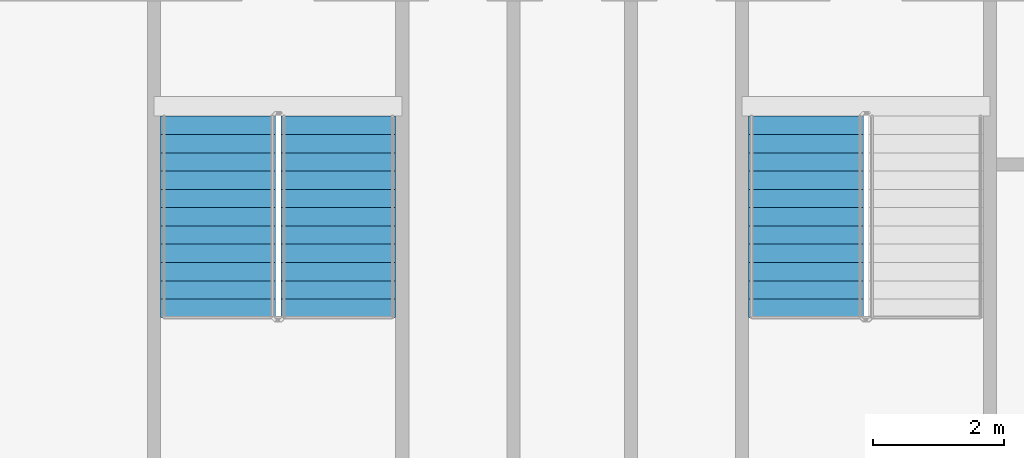
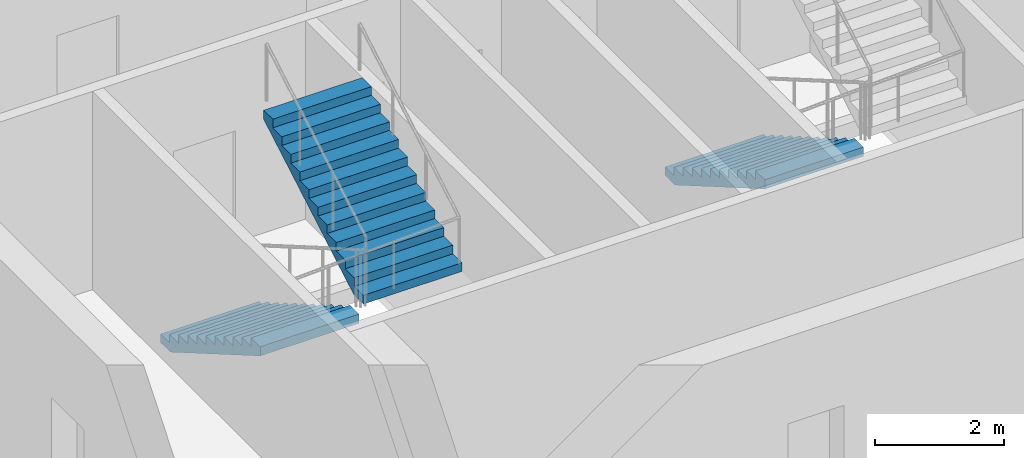
# One storey, part 13 of 20: 3 stair flights, 2 elements without a shape of their own.
"""IFC4 building model written with IfcOpenShell, lengths in metres."""

from ifc_helpers import new_model, si_unit, direction, frame, origin, place, context, subcontext, project, spatial, faceted_brep, material, type_object, element, aggregate, save


model = new_model("IFC4")

# Units and contexts
model_context = context("Model", 3, precision=1e-05, world=origin(), true_north=direction((0.0, 1.0)))
body_context = subcontext(model_context, "Body", "Model", "MODEL_VIEW")
ifc_project = project(units=[si_unit("LENGTHUNIT", "METRE"), si_unit("AREAUNIT", "SQUARE_METRE"), si_unit("VOLUMEUNIT", "CUBIC_METRE"), si_unit("PLANEANGLEUNIT", "RADIAN"), si_unit("MASSUNIT", "GRAM", prefix="KILO")], contexts=[model_context])

# Site, building, storey
site_placement = place(None, origin())
site = spatial("IfcSite", under=ifc_project, at=site_placement, CompositionType="ELEMENT")
building_placement = place(site_placement, origin())
building = spatial("IfcBuilding", under=site, at=building_placement, Name="Tarsis Ring Headquarters", CompositionType="ELEMENT")
storey_placement = place(building_placement, frame((0.0, 0.0, 315.800048828125)))
storey = spatial("IfcBuildingStorey", under=building, at=storey_placement, Name="L74", CompositionType="ELEMENT", Elevation=315.800048828125)

# Stair, stair flights
ifc_material_1 = material(Name="Core stair 1760")
stair_type = type_object("IfcStairType", Name="Core stair 1760", PredefinedType="HALF_TURN_STAIR", material=ifc_material_1)
stair_1_placement = place(storey_placement, origin())
stair_1 = element("IfcStair", 1, at=stair_1_placement, inside=storey, type_object=stair_type, Name="L74 Exit stair C", PredefinedType="HALF_TURN_STAIR")
ifc_material_2 = material(Name="Concrete C40/50", Category="concrete")
stair_flight_type = type_object("IfcStairFlightType", Name="Core stair flight 1760", PredefinedType="STRAIGHT", material=ifc_material_2)
stair_flight_1_placement = place(storey_placement, frame((-5.419921875, -3.659912109375, 0.0), z_axis=(0.0, 0.0, 1.0), x_axis=(0.0, -1.0, 0.0)))
stair_flight_1 = element("IfcStairFlight", 2, at=stair_flight_1_placement, type_object=stair_flight_type, Name="Stair ST3 flight 1", NumberOfRisers=12, NumberOfTreads=11, PredefinedType="STRAIGHT", RiserHeight=0.1625, TreadLength=0.28, context=body_context, shape_type="Brep", body=[
    faceted_brep([(0.0, 0.8798828125, 0.0), (0.0, 0.8798828125, 0.16259765625), (0.280029296875, 0.8798828125, 0.16259765625), (0.280029296875, 0.8798828125, 0.324951171875), (0.56005859375, 0.8798828125, 0.324951171875), (0.56005859375, 0.8798828125, 0.487548828125), (0.840087890625, 0.8798828125, 0.487548828125), (0.840087890625, 0.8798828125, 0.64990234375), (1.1201171875, 0.8798828125, 0.64990234375), (1.1201171875, 0.8798828125, 0.8125), (1.39990234375, 0.8798828125, 0.8125), (1.39990234375, 0.8798828125, 0.97509765625), (1.679931640625, 0.8798828125, 0.97509765625), (1.679931640625, 0.8798828125, 1.137451171875), (1.9599609375, 0.8798828125, 1.137451171875), (1.9599609375, 0.8798828125, 1.300048828125), (2.239990234375, 0.8798828125, 1.300048828125), (2.239990234375, 0.8798828125, 1.46240234375), (2.52001953125, 0.8798828125, 1.46240234375), (2.52001953125, 0.8798828125, 1.625), (2.800048828125, 0.8798828125, 1.625), (2.800048828125, 0.8798828125, 1.78759765625), (3.080078125, 0.8798828125, 1.78759765625), (3.080078125, 0.8798828125, 1.6142578125), (0.298583984375, 0.8798828125, 0.0), (0.298583984375, -0.8798828125, 0.0), (3.080078125, -0.8798828125, 1.6142578125), (3.080078125, -0.8798828125, 1.78759765625), (2.800048828125, -0.8798828125, 1.78759765625), (2.800048828125, -0.8798828125, 1.625), (2.52001953125, -0.8798828125, 1.625), (2.52001953125, -0.8798828125, 1.46240234375), (2.239990234375, -0.8798828125, 1.46240234375), (2.239990234375, -0.8798828125, 1.300048828125), (1.9599609375, -0.8798828125, 1.300048828125), (1.9599609375, -0.8798828125, 1.137451171875), (1.679931640625, -0.8798828125, 1.137451171875), (1.679931640625, -0.8798828125, 0.97509765625), (1.39990234375, -0.8798828125, 0.97509765625), (1.39990234375, -0.8798828125, 0.8125), (1.1201171875, -0.8798828125, 0.8125), (1.1201171875, -0.8798828125, 0.64990234375), (0.840087890625, -0.8798828125, 0.64990234375), (0.840087890625, -0.8798828125, 0.487548828125), (0.56005859375, -0.8798828125, 0.487548828125), (0.56005859375, -0.8798828125, 0.324951171875), (0.280029296875, -0.8798828125, 0.324951171875), (0.280029296875, -0.8798828125, 0.16259765625), (0.0, -0.8798828125, 0.16259765625), (0.0, -0.8798828125, 0.0), (0.0, -0.43994140625, 0.16259765625), (0.0, -0.43994140625, 0.0), (0.0, 0.0, 0.16259765625), (0.0, 0.0, 0.0), (0.0, 0.43994140625, 0.16259765625), (0.0, 0.43994140625, 0.0), (0.280029296875, -0.43994140625, 0.16259765625), (0.280029296875, 0.0, 0.16259765625), (0.280029296875, 0.43994140625, 0.16259765625), (0.280029296875, -0.43994140625, 0.324951171875), (0.280029296875, 0.0, 0.324951171875), (0.280029296875, 0.43994140625, 0.324951171875), (0.56005859375, -0.43994140625, 0.324951171875), (0.56005859375, 0.0, 0.324951171875), (0.56005859375, 0.43994140625, 0.324951171875), (0.56005859375, -0.43994140625, 0.487548828125), (0.56005859375, 0.0, 0.487548828125), (0.56005859375, 0.43994140625, 0.487548828125), (0.840087890625, -0.43994140625, 0.487548828125), (0.840087890625, 0.0, 0.487548828125), (0.840087890625, 0.43994140625, 0.487548828125), (0.840087890625, -0.43994140625, 0.64990234375), (0.840087890625, 0.0, 0.64990234375), (0.840087890625, 0.43994140625, 0.64990234375), (1.1201171875, -0.43994140625, 0.64990234375), (1.1201171875, 0.0, 0.64990234375), (1.1201171875, 0.43994140625, 0.64990234375), (1.1201171875, -0.43994140625, 0.8125), (1.1201171875, 0.0, 0.8125), (1.1201171875, 0.43994140625, 0.8125), (1.39990234375, -0.43994140625, 0.8125), (1.39990234375, 0.0, 0.8125), (1.39990234375, 0.43994140625, 0.8125), (1.39990234375, -0.43994140625, 0.97509765625), (1.39990234375, 0.0, 0.97509765625), (1.39990234375, 0.43994140625, 0.97509765625), (1.679931640625, -0.43994140625, 0.97509765625), (1.679931640625, 0.0, 0.97509765625), (1.679931640625, 0.43994140625, 0.97509765625), (1.679931640625, -0.43994140625, 1.137451171875), (1.679931640625, 0.0, 1.137451171875), (1.679931640625, 0.43994140625, 1.137451171875), (1.9599609375, -0.43994140625, 1.137451171875), (1.9599609375, 0.0, 1.137451171875), (1.9599609375, 0.43994140625, 1.137451171875), (1.9599609375, -0.43994140625, 1.300048828125), (1.9599609375, 0.0, 1.300048828125), (1.9599609375, 0.43994140625, 1.300048828125), (2.239990234375, -0.43994140625, 1.300048828125), (2.239990234375, 0.0, 1.300048828125), (2.239990234375, 0.43994140625, 1.300048828125), (2.239990234375, -0.43994140625, 1.46240234375), (2.239990234375, 0.0, 1.46240234375), (2.239990234375, 0.43994140625, 1.46240234375), (2.52001953125, -0.43994140625, 1.46240234375), (2.52001953125, 0.0, 1.46240234375), (2.52001953125, 0.43994140625, 1.46240234375), (2.52001953125, -0.43994140625, 1.625), (2.52001953125, 0.0, 1.625), (2.52001953125, 0.43994140625, 1.625), (2.800048828125, -0.43994140625, 1.625), (2.800048828125, 0.0, 1.625), (2.800048828125, 0.43994140625, 1.625), (2.800048828125, -0.43994140625, 1.78759765625), (2.800048828125, 0.0, 1.78759765625), (2.800048828125, 0.43994140625, 1.78759765625), (3.080078125, -0.43994140625, 1.78759765625), (3.080078125, 0.0, 1.78759765625), (3.080078125, 0.43994140625, 1.78759765625), (3.080078125, -0.43994140625, 1.6142578125), (3.080078125, 0.0, 1.6142578125), (3.080078125, 0.43994140625, 1.6142578125), (0.298583984375, -0.43994140625, 0.0), (0.298583984375, 0.0, 0.0), (0.298583984375, 0.43994140625, 0.0)], [[[0, 1, 2, 3, 4, 5, 6, 7, 8, 9, 10, 11, 12, 13, 14, 15, 16, 17, 18, 19, 20, 21, 22, 23, 24]], [[25, 26, 27, 28, 29, 30, 31, 32, 33, 34, 35, 36, 37, 38, 39, 40, 41, 42, 43, 44, 45, 46, 47, 48, 49]], [[49, 48, 50, 51]], [[51, 50, 52, 53]], [[53, 52, 54, 55]], [[55, 54, 1, 0]], [[48, 47, 56, 50]], [[50, 56, 57, 52]], [[52, 57, 58, 54]], [[54, 58, 2, 1]], [[47, 46, 59, 56]], [[56, 59, 60, 57]], [[57, 60, 61, 58]], [[58, 61, 3, 2]], [[46, 45, 62, 59]], [[59, 62, 63, 60]], [[60, 63, 64, 61]], [[61, 64, 4, 3]], [[45, 44, 65, 62]], [[62, 65, 66, 63]], [[63, 66, 67, 64]], [[64, 67, 5, 4]], [[44, 43, 68, 65]], [[65, 68, 69, 66]], [[66, 69, 70, 67]], [[67, 70, 6, 5]], [[43, 42, 71, 68]], [[68, 71, 72, 69]], [[69, 72, 73, 70]], [[70, 73, 7, 6]], [[42, 41, 74, 71]], [[71, 74, 75, 72]], [[72, 75, 76, 73]], [[73, 76, 8, 7]], [[41, 40, 77, 74]], [[74, 77, 78, 75]], [[75, 78, 79, 76]], [[76, 79, 9, 8]], [[40, 39, 80, 77]], [[77, 80, 81, 78]], [[78, 81, 82, 79]], [[79, 82, 10, 9]], [[39, 38, 83, 80]], [[80, 83, 84, 81]], [[81, 84, 85, 82]], [[82, 85, 11, 10]], [[38, 37, 86, 83]], [[83, 86, 87, 84]], [[84, 87, 88, 85]], [[85, 88, 12, 11]], [[37, 36, 89, 86]], [[86, 89, 90, 87]], [[87, 90, 91, 88]], [[88, 91, 13, 12]], [[36, 35, 92, 89]], [[89, 92, 93, 90]], [[90, 93, 94, 91]], [[91, 94, 14, 13]], [[35, 34, 95, 92]], [[92, 95, 96, 93]], [[93, 96, 97, 94]], [[94, 97, 15, 14]], [[34, 33, 98, 95]], [[95, 98, 99, 96]], [[96, 99, 100, 97]], [[97, 100, 16, 15]], [[33, 32, 101, 98]], [[98, 101, 102, 99]], [[99, 102, 103, 100]], [[100, 103, 17, 16]], [[32, 31, 104, 101]], [[101, 104, 105, 102]], [[102, 105, 106, 103]], [[103, 106, 18, 17]], [[31, 30, 107, 104]], [[104, 107, 108, 105]], [[105, 108, 109, 106]], [[106, 109, 19, 18]], [[30, 29, 110, 107]], [[107, 110, 111, 108]], [[108, 111, 112, 109]], [[109, 112, 20, 19]], [[29, 28, 113, 110]], [[110, 113, 114, 111]], [[111, 114, 115, 112]], [[112, 115, 21, 20]], [[28, 27, 116, 113]], [[113, 116, 117, 114]], [[114, 117, 118, 115]], [[115, 118, 22, 21]], [[27, 26, 119, 116]], [[116, 119, 120, 117]], [[117, 120, 121, 118]], [[118, 121, 23, 22]], [[26, 25, 122, 119]], [[119, 122, 123, 120]], [[120, 123, 124, 121]], [[121, 124, 24, 23]], [[25, 49, 51, 122]], [[122, 51, 53, 123]], [[123, 53, 55, 124]], [[124, 55, 0, 24]]]),
])
stair_flight_2_placement = place(storey_placement, frame((-3.580078125, -6.739990234375, 1.949951171875), z_axis=(0.0, 0.0, 1.0), x_axis=(0.0, 1.0, 0.0)))
stair_flight_2 = element("IfcStairFlight", 3, at=stair_flight_2_placement, type_object=stair_flight_type, Name="Stair ST3 flight 2", NumberOfRisers=12, NumberOfTreads=11, PredefinedType="STRAIGHT", RiserHeight=0.1625, TreadLength=0.28, context=body_context, shape_type="Brep", body=[
    faceted_brep([(0.0, 0.8798828125, 0.0), (0.0, 0.8798828125, 0.16259765625), (0.280029296875, 0.8798828125, 0.16259765625), (0.280029296875, 0.8798828125, 0.324951171875), (0.56005859375, 0.8798828125, 0.324951171875), (0.56005859375, 0.8798828125, 0.487548828125), (0.840087890625, 0.8798828125, 0.487548828125), (0.840087890625, 0.8798828125, 0.64990234375), (1.1201171875, 0.8798828125, 0.64990234375), (1.1201171875, 0.8798828125, 0.8125), (1.39990234375, 0.8798828125, 0.8125), (1.39990234375, 0.8798828125, 0.97509765625), (1.679931640625, 0.8798828125, 0.97509765625), (1.679931640625, 0.8798828125, 1.137451171875), (1.9599609375, 0.8798828125, 1.137451171875), (1.9599609375, 0.8798828125, 1.300048828125), (2.239990234375, 0.8798828125, 1.300048828125), (2.239990234375, 0.8798828125, 1.46240234375), (2.52001953125, 0.8798828125, 1.46240234375), (2.52001953125, 0.8798828125, 1.625), (2.800048828125, 0.8798828125, 1.625), (2.800048828125, 0.8798828125, 1.78759765625), (3.080078125, 0.8798828125, 1.78759765625), (3.080078125, 0.8798828125, 1.6142578125), (0.298583984375, 0.8798828125, 0.0), (0.298583984375, -0.8798828125, 0.0), (3.080078125, -0.8798828125, 1.6142578125), (3.080078125, -0.8798828125, 1.78759765625), (2.800048828125, -0.8798828125, 1.78759765625), (2.800048828125, -0.8798828125, 1.625), (2.52001953125, -0.8798828125, 1.625), (2.52001953125, -0.8798828125, 1.46240234375), (2.239990234375, -0.8798828125, 1.46240234375), (2.239990234375, -0.8798828125, 1.300048828125), (1.9599609375, -0.8798828125, 1.300048828125), (1.9599609375, -0.8798828125, 1.137451171875), (1.679931640625, -0.8798828125, 1.137451171875), (1.679931640625, -0.8798828125, 0.97509765625), (1.39990234375, -0.8798828125, 0.97509765625), (1.39990234375, -0.8798828125, 0.8125), (1.1201171875, -0.8798828125, 0.8125), (1.1201171875, -0.8798828125, 0.64990234375), (0.840087890625, -0.8798828125, 0.64990234375), (0.840087890625, -0.8798828125, 0.487548828125), (0.56005859375, -0.8798828125, 0.487548828125), (0.56005859375, -0.8798828125, 0.324951171875), (0.280029296875, -0.8798828125, 0.324951171875), (0.280029296875, -0.8798828125, 0.16259765625), (0.0, -0.8798828125, 0.16259765625), (0.0, -0.8798828125, 0.0), (0.0, -0.43994140625, 0.16259765625), (0.0, -0.43994140625, 0.0), (0.0, 0.0, 0.16259765625), (0.0, 0.0, 0.0), (0.0, 0.43994140625, 0.16259765625), (0.0, 0.43994140625, 0.0), (0.280029296875, -0.43994140625, 0.16259765625), (0.280029296875, 0.0, 0.16259765625), (0.280029296875, 0.43994140625, 0.16259765625), (0.280029296875, -0.43994140625, 0.324951171875), (0.280029296875, 0.0, 0.324951171875), (0.280029296875, 0.43994140625, 0.324951171875), (0.56005859375, -0.43994140625, 0.324951171875), (0.56005859375, 0.0, 0.324951171875), (0.56005859375, 0.43994140625, 0.324951171875), (0.56005859375, -0.43994140625, 0.487548828125), (0.56005859375, 0.0, 0.487548828125), (0.56005859375, 0.43994140625, 0.487548828125), (0.840087890625, -0.43994140625, 0.487548828125), (0.840087890625, 0.0, 0.487548828125), (0.840087890625, 0.43994140625, 0.487548828125), (0.840087890625, -0.43994140625, 0.64990234375), (0.840087890625, 0.0, 0.64990234375), (0.840087890625, 0.43994140625, 0.64990234375), (1.1201171875, -0.43994140625, 0.64990234375), (1.1201171875, 0.0, 0.64990234375), (1.1201171875, 0.43994140625, 0.64990234375), (1.1201171875, -0.43994140625, 0.8125), (1.1201171875, 0.0, 0.8125), (1.1201171875, 0.43994140625, 0.8125), (1.39990234375, -0.43994140625, 0.8125), (1.39990234375, 0.0, 0.8125), (1.39990234375, 0.43994140625, 0.8125), (1.39990234375, -0.43994140625, 0.97509765625), (1.39990234375, 0.0, 0.97509765625), (1.39990234375, 0.43994140625, 0.97509765625), (1.679931640625, -0.43994140625, 0.97509765625), (1.679931640625, 0.0, 0.97509765625), (1.679931640625, 0.43994140625, 0.97509765625), (1.679931640625, -0.43994140625, 1.137451171875), (1.679931640625, 0.0, 1.137451171875), (1.679931640625, 0.43994140625, 1.137451171875), (1.9599609375, -0.43994140625, 1.137451171875), (1.9599609375, 0.0, 1.137451171875), (1.9599609375, 0.43994140625, 1.137451171875), (1.9599609375, -0.43994140625, 1.300048828125), (1.9599609375, 0.0, 1.300048828125), (1.9599609375, 0.43994140625, 1.300048828125), (2.239990234375, -0.43994140625, 1.300048828125), (2.239990234375, 0.0, 1.300048828125), (2.239990234375, 0.43994140625, 1.300048828125), (2.239990234375, -0.43994140625, 1.46240234375), (2.239990234375, 0.0, 1.46240234375), (2.239990234375, 0.43994140625, 1.46240234375), (2.52001953125, -0.43994140625, 1.46240234375), (2.52001953125, 0.0, 1.46240234375), (2.52001953125, 0.43994140625, 1.46240234375), (2.52001953125, -0.43994140625, 1.625), (2.52001953125, 0.0, 1.625), (2.52001953125, 0.43994140625, 1.625), (2.800048828125, -0.43994140625, 1.625), (2.800048828125, 0.0, 1.625), (2.800048828125, 0.43994140625, 1.625), (2.800048828125, -0.43994140625, 1.78759765625), (2.800048828125, 0.0, 1.78759765625), (2.800048828125, 0.43994140625, 1.78759765625), (3.080078125, -0.43994140625, 1.78759765625), (3.080078125, 0.0, 1.78759765625), (3.080078125, 0.43994140625, 1.78759765625), (3.080078125, -0.43994140625, 1.6142578125), (3.080078125, 0.0, 1.6142578125), (3.080078125, 0.43994140625, 1.6142578125), (0.298583984375, -0.43994140625, 0.0), (0.298583984375, 0.0, 0.0), (0.298583984375, 0.43994140625, 0.0)], [[[0, 1, 2, 3, 4, 5, 6, 7, 8, 9, 10, 11, 12, 13, 14, 15, 16, 17, 18, 19, 20, 21, 22, 23, 24]], [[25, 26, 27, 28, 29, 30, 31, 32, 33, 34, 35, 36, 37, 38, 39, 40, 41, 42, 43, 44, 45, 46, 47, 48, 49]], [[49, 48, 50, 51]], [[51, 50, 52, 53]], [[53, 52, 54, 55]], [[55, 54, 1, 0]], [[48, 47, 56, 50]], [[50, 56, 57, 52]], [[52, 57, 58, 54]], [[54, 58, 2, 1]], [[47, 46, 59, 56]], [[56, 59, 60, 57]], [[57, 60, 61, 58]], [[58, 61, 3, 2]], [[46, 45, 62, 59]], [[59, 62, 63, 60]], [[60, 63, 64, 61]], [[61, 64, 4, 3]], [[45, 44, 65, 62]], [[62, 65, 66, 63]], [[63, 66, 67, 64]], [[64, 67, 5, 4]], [[44, 43, 68, 65]], [[65, 68, 69, 66]], [[66, 69, 70, 67]], [[67, 70, 6, 5]], [[43, 42, 71, 68]], [[68, 71, 72, 69]], [[69, 72, 73, 70]], [[70, 73, 7, 6]], [[42, 41, 74, 71]], [[71, 74, 75, 72]], [[72, 75, 76, 73]], [[73, 76, 8, 7]], [[41, 40, 77, 74]], [[74, 77, 78, 75]], [[75, 78, 79, 76]], [[76, 79, 9, 8]], [[40, 39, 80, 77]], [[77, 80, 81, 78]], [[78, 81, 82, 79]], [[79, 82, 10, 9]], [[39, 38, 83, 80]], [[80, 83, 84, 81]], [[81, 84, 85, 82]], [[82, 85, 11, 10]], [[38, 37, 86, 83]], [[83, 86, 87, 84]], [[84, 87, 88, 85]], [[85, 88, 12, 11]], [[37, 36, 89, 86]], [[86, 89, 90, 87]], [[87, 90, 91, 88]], [[88, 91, 13, 12]], [[36, 35, 92, 89]], [[89, 92, 93, 90]], [[90, 93, 94, 91]], [[91, 94, 14, 13]], [[35, 34, 95, 92]], [[92, 95, 96, 93]], [[93, 96, 97, 94]], [[94, 97, 15, 14]], [[34, 33, 98, 95]], [[95, 98, 99, 96]], [[96, 99, 100, 97]], [[97, 100, 16, 15]], [[33, 32, 101, 98]], [[98, 101, 102, 99]], [[99, 102, 103, 100]], [[100, 103, 17, 16]], [[32, 31, 104, 101]], [[101, 104, 105, 102]], [[102, 105, 106, 103]], [[103, 106, 18, 17]], [[31, 30, 107, 104]], [[104, 107, 108, 105]], [[105, 108, 109, 106]], [[106, 109, 19, 18]], [[30, 29, 110, 107]], [[107, 110, 111, 108]], [[108, 111, 112, 109]], [[109, 112, 20, 19]], [[29, 28, 113, 110]], [[110, 113, 114, 111]], [[111, 114, 115, 112]], [[112, 115, 21, 20]], [[28, 27, 116, 113]], [[113, 116, 117, 114]], [[114, 117, 118, 115]], [[115, 118, 22, 21]], [[27, 26, 119, 116]], [[116, 119, 120, 117]], [[117, 120, 121, 118]], [[118, 121, 23, 22]], [[26, 25, 122, 119]], [[119, 122, 123, 120]], [[120, 123, 124, 121]], [[121, 124, 24, 23]], [[25, 49, 51, 122]], [[122, 51, 53, 123]], [[123, 53, 55, 124]], [[124, 55, 0, 24]]]),
])
aggregate(stair_1, [stair_flight_1, stair_flight_2])

# Stair, stair flight
stair_2_placement = place(storey_placement, origin())
stair_2 = element("IfcStair", 4, at=stair_2_placement, inside=storey, type_object=stair_type, Name="L74 Exit stair D", PredefinedType="HALF_TURN_STAIR")
stair_flight_3_placement = place(storey_placement, frame((3.580078125, -3.659912109375, 0.0), z_axis=(0.0, 0.0, 1.0), x_axis=(0.0, -1.0, 0.0)))
stair_flight_3 = element("IfcStairFlight", 5, at=stair_flight_3_placement, type_object=stair_flight_type, Name="Stair ST4 flight 1", NumberOfRisers=12, NumberOfTreads=11, PredefinedType="STRAIGHT", RiserHeight=0.1625, TreadLength=0.28, context=body_context, shape_type="Brep", body=[
    faceted_brep([(0.0, 0.8798828125, 0.0), (0.0, 0.8798828125, 0.16259765625), (0.280029296875, 0.8798828125, 0.16259765625), (0.280029296875, 0.8798828125, 0.324951171875), (0.56005859375, 0.8798828125, 0.324951171875), (0.56005859375, 0.8798828125, 0.487548828125), (0.840087890625, 0.8798828125, 0.487548828125), (0.840087890625, 0.8798828125, 0.64990234375), (1.1201171875, 0.8798828125, 0.64990234375), (1.1201171875, 0.8798828125, 0.8125), (1.39990234375, 0.8798828125, 0.8125), (1.39990234375, 0.8798828125, 0.97509765625), (1.679931640625, 0.8798828125, 0.97509765625), (1.679931640625, 0.8798828125, 1.137451171875), (1.9599609375, 0.8798828125, 1.137451171875), (1.9599609375, 0.8798828125, 1.300048828125), (2.239990234375, 0.8798828125, 1.300048828125), (2.239990234375, 0.8798828125, 1.46240234375), (2.52001953125, 0.8798828125, 1.46240234375), (2.52001953125, 0.8798828125, 1.625), (2.800048828125, 0.8798828125, 1.625), (2.800048828125, 0.8798828125, 1.78759765625), (3.080078125, 0.8798828125, 1.78759765625), (3.080078125, 0.8798828125, 1.6142578125), (0.298583984375, 0.8798828125, 0.0), (0.298583984375, -0.8798828125, 0.0), (3.080078125, -0.8798828125, 1.6142578125), (3.080078125, -0.8798828125, 1.78759765625), (2.800048828125, -0.8798828125, 1.78759765625), (2.800048828125, -0.8798828125, 1.625), (2.52001953125, -0.8798828125, 1.625), (2.52001953125, -0.8798828125, 1.46240234375), (2.239990234375, -0.8798828125, 1.46240234375), (2.239990234375, -0.8798828125, 1.300048828125), (1.9599609375, -0.8798828125, 1.300048828125), (1.9599609375, -0.8798828125, 1.137451171875), (1.679931640625, -0.8798828125, 1.137451171875), (1.679931640625, -0.8798828125, 0.97509765625), (1.39990234375, -0.8798828125, 0.97509765625), (1.39990234375, -0.8798828125, 0.8125), (1.1201171875, -0.8798828125, 0.8125), (1.1201171875, -0.8798828125, 0.64990234375), (0.840087890625, -0.8798828125, 0.64990234375), (0.840087890625, -0.8798828125, 0.487548828125), (0.56005859375, -0.8798828125, 0.487548828125), (0.56005859375, -0.8798828125, 0.324951171875), (0.280029296875, -0.8798828125, 0.324951171875), (0.280029296875, -0.8798828125, 0.16259765625), (0.0, -0.8798828125, 0.16259765625), (0.0, -0.8798828125, 0.0), (0.0, -0.43994140625, 0.16259765625), (0.0, -0.43994140625, 0.0), (0.0, 0.0, 0.16259765625), (0.0, 0.0, 0.0), (0.0, 0.43994140625, 0.16259765625), (0.0, 0.43994140625, 0.0), (0.280029296875, -0.43994140625, 0.16259765625), (0.280029296875, 0.0, 0.16259765625), (0.280029296875, 0.43994140625, 0.16259765625), (0.280029296875, -0.43994140625, 0.324951171875), (0.280029296875, 0.0, 0.324951171875), (0.280029296875, 0.43994140625, 0.324951171875), (0.56005859375, -0.43994140625, 0.324951171875), (0.56005859375, 0.0, 0.324951171875), (0.56005859375, 0.43994140625, 0.324951171875), (0.56005859375, -0.43994140625, 0.487548828125), (0.56005859375, 0.0, 0.487548828125), (0.56005859375, 0.43994140625, 0.487548828125), (0.840087890625, -0.43994140625, 0.487548828125), (0.840087890625, 0.0, 0.487548828125), (0.840087890625, 0.43994140625, 0.487548828125), (0.840087890625, -0.43994140625, 0.64990234375), (0.840087890625, 0.0, 0.64990234375), (0.840087890625, 0.43994140625, 0.64990234375), (1.1201171875, -0.43994140625, 0.64990234375), (1.1201171875, 0.0, 0.64990234375), (1.1201171875, 0.43994140625, 0.64990234375), (1.1201171875, -0.43994140625, 0.8125), (1.1201171875, 0.0, 0.8125), (1.1201171875, 0.43994140625, 0.8125), (1.39990234375, -0.43994140625, 0.8125), (1.39990234375, 0.0, 0.8125), (1.39990234375, 0.43994140625, 0.8125), (1.39990234375, -0.43994140625, 0.97509765625), (1.39990234375, 0.0, 0.97509765625), (1.39990234375, 0.43994140625, 0.97509765625), (1.679931640625, -0.43994140625, 0.97509765625), (1.679931640625, 0.0, 0.97509765625), (1.679931640625, 0.43994140625, 0.97509765625), (1.679931640625, -0.43994140625, 1.137451171875), (1.679931640625, 0.0, 1.137451171875), (1.679931640625, 0.43994140625, 1.137451171875), (1.9599609375, -0.43994140625, 1.137451171875), (1.9599609375, 0.0, 1.137451171875), (1.9599609375, 0.43994140625, 1.137451171875), (1.9599609375, -0.43994140625, 1.300048828125), (1.9599609375, 0.0, 1.300048828125), (1.9599609375, 0.43994140625, 1.300048828125), (2.239990234375, -0.43994140625, 1.300048828125), (2.239990234375, 0.0, 1.300048828125), (2.239990234375, 0.43994140625, 1.300048828125), (2.239990234375, -0.43994140625, 1.46240234375), (2.239990234375, 0.0, 1.46240234375), (2.239990234375, 0.43994140625, 1.46240234375), (2.52001953125, -0.43994140625, 1.46240234375), (2.52001953125, 0.0, 1.46240234375), (2.52001953125, 0.43994140625, 1.46240234375), (2.52001953125, -0.43994140625, 1.625), (2.52001953125, 0.0, 1.625), (2.52001953125, 0.43994140625, 1.625), (2.800048828125, -0.43994140625, 1.625), (2.800048828125, 0.0, 1.625), (2.800048828125, 0.43994140625, 1.625), (2.800048828125, -0.43994140625, 1.78759765625), (2.800048828125, 0.0, 1.78759765625), (2.800048828125, 0.43994140625, 1.78759765625), (3.080078125, -0.43994140625, 1.78759765625), (3.080078125, 0.0, 1.78759765625), (3.080078125, 0.43994140625, 1.78759765625), (3.080078125, -0.43994140625, 1.6142578125), (3.080078125, 0.0, 1.6142578125), (3.080078125, 0.43994140625, 1.6142578125), (0.298583984375, -0.43994140625, 0.0), (0.298583984375, 0.0, 0.0), (0.298583984375, 0.43994140625, 0.0)], [[[0, 1, 2, 3, 4, 5, 6, 7, 8, 9, 10, 11, 12, 13, 14, 15, 16, 17, 18, 19, 20, 21, 22, 23, 24]], [[25, 26, 27, 28, 29, 30, 31, 32, 33, 34, 35, 36, 37, 38, 39, 40, 41, 42, 43, 44, 45, 46, 47, 48, 49]], [[49, 48, 50, 51]], [[51, 50, 52, 53]], [[53, 52, 54, 55]], [[55, 54, 1, 0]], [[48, 47, 56, 50]], [[50, 56, 57, 52]], [[52, 57, 58, 54]], [[54, 58, 2, 1]], [[47, 46, 59, 56]], [[56, 59, 60, 57]], [[57, 60, 61, 58]], [[58, 61, 3, 2]], [[46, 45, 62, 59]], [[59, 62, 63, 60]], [[60, 63, 64, 61]], [[61, 64, 4, 3]], [[45, 44, 65, 62]], [[62, 65, 66, 63]], [[63, 66, 67, 64]], [[64, 67, 5, 4]], [[44, 43, 68, 65]], [[65, 68, 69, 66]], [[66, 69, 70, 67]], [[67, 70, 6, 5]], [[43, 42, 71, 68]], [[68, 71, 72, 69]], [[69, 72, 73, 70]], [[70, 73, 7, 6]], [[42, 41, 74, 71]], [[71, 74, 75, 72]], [[72, 75, 76, 73]], [[73, 76, 8, 7]], [[41, 40, 77, 74]], [[74, 77, 78, 75]], [[75, 78, 79, 76]], [[76, 79, 9, 8]], [[40, 39, 80, 77]], [[77, 80, 81, 78]], [[78, 81, 82, 79]], [[79, 82, 10, 9]], [[39, 38, 83, 80]], [[80, 83, 84, 81]], [[81, 84, 85, 82]], [[82, 85, 11, 10]], [[38, 37, 86, 83]], [[83, 86, 87, 84]], [[84, 87, 88, 85]], [[85, 88, 12, 11]], [[37, 36, 89, 86]], [[86, 89, 90, 87]], [[87, 90, 91, 88]], [[88, 91, 13, 12]], [[36, 35, 92, 89]], [[89, 92, 93, 90]], [[90, 93, 94, 91]], [[91, 94, 14, 13]], [[35, 34, 95, 92]], [[92, 95, 96, 93]], [[93, 96, 97, 94]], [[94, 97, 15, 14]], [[34, 33, 98, 95]], [[95, 98, 99, 96]], [[96, 99, 100, 97]], [[97, 100, 16, 15]], [[33, 32, 101, 98]], [[98, 101, 102, 99]], [[99, 102, 103, 100]], [[100, 103, 17, 16]], [[32, 31, 104, 101]], [[101, 104, 105, 102]], [[102, 105, 106, 103]], [[103, 106, 18, 17]], [[31, 30, 107, 104]], [[104, 107, 108, 105]], [[105, 108, 109, 106]], [[106, 109, 19, 18]], [[30, 29, 110, 107]], [[107, 110, 111, 108]], [[108, 111, 112, 109]], [[109, 112, 20, 19]], [[29, 28, 113, 110]], [[110, 113, 114, 111]], [[111, 114, 115, 112]], [[112, 115, 21, 20]], [[28, 27, 116, 113]], [[113, 116, 117, 114]], [[114, 117, 118, 115]], [[115, 118, 22, 21]], [[27, 26, 119, 116]], [[116, 119, 120, 117]], [[117, 120, 121, 118]], [[118, 121, 23, 22]], [[26, 25, 122, 119]], [[119, 122, 123, 120]], [[120, 123, 124, 121]], [[121, 124, 24, 23]], [[25, 49, 51, 122]], [[122, 51, 53, 123]], [[123, 53, 55, 124]], [[124, 55, 0, 24]]]),
])
aggregate(stair_2, [stair_flight_3])

save(model, "model.ifc")
